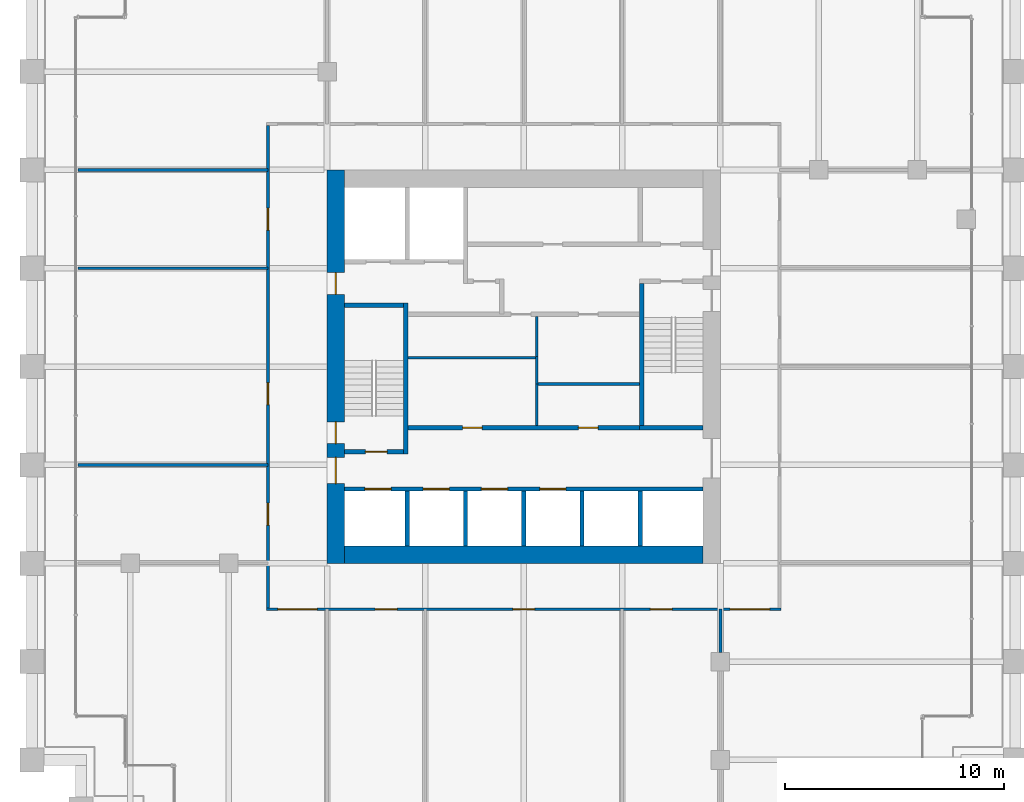
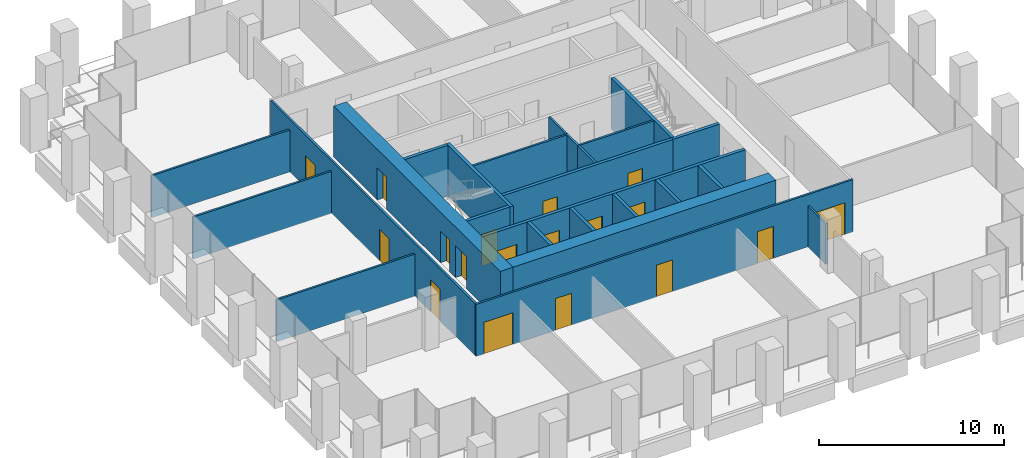
# One storey, part 50 of 56: 25 walls, 18 doors, 18 openings.
"""IFC4 building model written with IfcOpenShell, lengths in metres."""

from ifc_helpers import new_model, si_unit, direction, frame, frame_2d, origin, place, context, subcontext, project, spatial, rectangle, extrude, material, layer, layer_set, type_object, element, fill, save


model = new_model("IFC4")

# Units and contexts
model_context = context("Model", 3, precision=1e-05, world=origin(), true_north=direction((0.0, 1.0)))
body_context = subcontext(model_context, "Body", "Model", "MODEL_VIEW")
ifc_project = project(units=[si_unit("LENGTHUNIT", "METRE"), si_unit("AREAUNIT", "SQUARE_METRE"), si_unit("VOLUMEUNIT", "CUBIC_METRE"), si_unit("PLANEANGLEUNIT", "RADIAN"), si_unit("MASSUNIT", "GRAM", prefix="KILO")], contexts=[model_context])

# Site, building, storey
site_placement = place(None, origin())
site = spatial("IfcSite", under=ifc_project, at=site_placement, CompositionType="ELEMENT")
building_placement = place(site_placement, origin())
building = spatial("IfcBuilding", under=site, at=building_placement, Name="Altepetl Exchange Towers", CompositionType="ELEMENT")
storey_placement = place(building_placement, frame((0.0, 0.0, 51.0)))
storey = spatial("IfcBuildingStorey", under=building, at=storey_placement, Name="L11", CompositionType="ELEMENT", Elevation=51.0)

# Wall
ifc_material_1 = material(Name="Concrete C70/85", Category="concrete")
ifc_layer_1 = layer(ifc_material_1, 0.800048828125)
ifc_layer_set_1 = layer_set([ifc_layer_1], Name="Concrete C70/85")
wall_type_1 = type_object("IfcWallType", Name="Core wall 800 reinforced concrete", PredefinedType="SHEAR", material=ifc_layer_set_1)
wall_1_placement = place(storey_placement, frame((41.300048828125, 40.89990234375, 0.0)))
element("IfcWall", 1, at=wall_1_placement, inside=storey, type_object=wall_type_1, Name="wall:A:L11:K-coreS", PredefinedType="SHEAR", context=body_context, shape_type="SweptSolid", body=[
    extrude(rectangle(XDim=16.39990234375, YDim=0.800048828125, at=frame_2d((8.199951171875, 0.0))), origin(), (0.0, 0.0, 1.0), 3.35009765625),
])

# Wall, openings, doors
wall_2_placement = place(storey_placement, frame((40.89990234375, 40.5, 0.0), z_axis=(0.0, 0.0, 1.0), x_axis=(0.0, 1.0, 0.0)))
wall_2 = element("IfcWall", 2, at=wall_2_placement, inside=storey, type_object=wall_type_1, Name="wall:A:L11:K-coreW", PredefinedType="SHEAR", context=body_context, shape_type="SweptSolid", body=[
    extrude(rectangle(XDim=18.0, YDim=0.800048828125, at=frame_2d((9.0, 0.0))), origin(), (0.0, 0.0, 1.0), 3.35009765625),
])
opening_1_placement = place(wall_2_placement, frame((3.64990234375, 0.0, 0.0)))
opening_1 = element("IfcOpeningElement", 3, at=opening_1_placement, cuts=wall_2, Name="Opening L11.A62", PredefinedType="OPENING", context=body_context, shape_type="SweptSolid", body=[
    extrude(rectangle(XDim=1.199951171875, YDim=2.10009765625, at=frame_2d((0.60009765625, 1.050048828125))), frame((0.0, 0.41015625, 0.0), z_axis=(0.0, -1.0, 0.0), x_axis=(1.0, 0.0, 0.0)), (0.0, 0.0, 1.0), 0.820068359375),
])
opening_2_placement = place(wall_2_placement, frame((5.47509765625, 0.0, 0.0)))
opening_2 = element("IfcOpeningElement", 4, at=opening_2_placement, cuts=wall_2, Name="Opening L11.A64", PredefinedType="OPENING", context=body_context, shape_type="SweptSolid", body=[
    extrude(rectangle(XDim=1.0, YDim=2.10009765625, at=frame_2d((0.5, 1.050048828125))), frame((0.0, 0.41015625, 0.0), z_axis=(0.0, -1.0, 0.0), x_axis=(1.0, 0.0, 0.0)), (0.0, 0.0, 1.0), 0.820068359375),
])
opening_3_placement = place(wall_2_placement, frame((12.300048828125, 0.0, 0.0)))
opening_3 = element("IfcOpeningElement", 5, at=opening_3_placement, cuts=wall_2, Name="Opening L11.A68", PredefinedType="OPENING", context=body_context, shape_type="SweptSolid", body=[
    extrude(rectangle(XDim=1.0, YDim=2.10009765625, at=frame_2d((0.5, 1.050048828125))), frame((0.0, 0.41015625, 0.0), z_axis=(0.0, -1.0, 0.0), x_axis=(1.0, 0.0, 0.0)), (0.0, 0.0, 1.0), 0.820068359375),
])
ifc_material_2 = material(Name="Steel and timber fire door", Category="steel")
door_type_1 = type_object("IfcDoorType", Name="Fire door 1000 x 2100 stair and lobby", OperationType="SINGLE_SWING_LEFT", PredefinedType="DOOR", material=ifc_material_2)
door_1_placement = place(opening_2_placement, frame((1.0, 0.0, 0.0), x_axis=(-1.0, 0.0, 0.0)))
door_1 = element("IfcDoor", 6, at=door_1_placement, inside=storey, type_object=door_type_1, Name="door:A:L11:K-dS1x", OperationType="SINGLE_SWING_RIGHT", OverallHeight=2.10009765625, OverallWidth=1.0, PredefinedType="DOOR", context=body_context, shape_type="SweptSolid", body=[
    extrude(rectangle(XDim=1.0, YDim=2.10009765625, at=frame_2d((0.5, 1.050048828125))), frame((0.0, 0.02490234375, 0.0), z_axis=(0.0, -1.0, 0.0), x_axis=(1.0, 0.0, 0.0)), (0.0, 0.0, 1.0), 0.050048828125),
])
fill(opening_2, door_1)
door_2_placement = place(opening_3_placement, frame((1.0, 0.0, 0.0), x_axis=(-1.0, 0.0, 0.0)))
door_2 = element("IfcDoor", 7, at=door_2_placement, inside=storey, type_object=door_type_1, Name="door:A:L11:K-dffW", OperationType="SINGLE_SWING_LEFT", OverallHeight=2.10009765625, OverallWidth=1.0, PredefinedType="DOOR", context=body_context, shape_type="SweptSolid", body=[
    extrude(rectangle(XDim=1.0, YDim=2.10009765625, at=frame_2d((0.5, 1.050048828125))), frame((0.0, 0.02490234375, 0.0), z_axis=(0.0, -1.0, 0.0), x_axis=(1.0, 0.0, 0.0)), (0.0, 0.0, 1.0), 0.050048828125),
])
fill(opening_3, door_2)
door_type_2 = type_object("IfcDoorType", Name="Fire door 1200 x 2100 lobby entry", OperationType="SINGLE_SWING_LEFT", PredefinedType="DOOR", material=ifc_material_2)
door_3_placement = place(opening_1_placement, frame((1.199951171875, 0.0, 0.0), x_axis=(-1.0, 0.0, 0.0)))
door_3 = element("IfcDoor", 8, at=door_3_placement, inside=storey, type_object=door_type_2, Name="door:A:L11:K-dLSW", OperationType="SINGLE_SWING_LEFT", OverallHeight=2.10009765625, OverallWidth=1.199951171875, PredefinedType="DOOR", context=body_context, shape_type="SweptSolid", body=[
    extrude(rectangle(XDim=1.199951171875, YDim=2.10009765625, at=frame_2d((0.60009765625, 1.050048828125))), frame((0.0, 0.02490234375, 0.0), z_axis=(0.0, -1.0, 0.0), x_axis=(1.0, 0.0, 0.0)), (0.0, 0.0, 1.0), 0.050048828125),
])
fill(opening_1, door_3)

ifc_material_3 = material(Name="Concrete blockwork", Category="masonry")
ifc_layer_2 = layer(ifc_material_3, 0.199951171875)
ifc_layer_set_2 = layer_set([ifc_layer_2], Name="Concrete blockwork")
wall_type_2 = type_object("IfcWallType", Name="Lobby wall 200 blockwork", PredefinedType="PARTITIONING", material=ifc_layer_set_2)
wall_3_placement = place(storey_placement, frame((44.199951171875, 46.699951171875, 0.0)))
wall_3 = element("IfcWall", 9, at=wall_3_placement, inside=storey, type_object=wall_type_2, Name="wall:A:L11:K-zoneS", PredefinedType="PARTITIONING", context=body_context, shape_type="SweptSolid", body=[
    extrude(rectangle(XDim=10.60009765625, YDim=0.199951171875, at=frame_2d((5.300048828125, 0.0))), origin(), (0.0, 0.0, 1.0), 3.35009765625),
])
opening_4_placement = place(wall_3_placement, frame((2.5, 0.0, 0.0)))
opening_4 = element("IfcOpeningElement", 10, at=opening_4_placement, cuts=wall_3, Name="Opening L11.A71", PredefinedType="OPENING", context=body_context, shape_type="SweptSolid", body=[
    extrude(rectangle(XDim=0.89990234375, YDim=2.10009765625, at=frame_2d((0.449951171875, 1.050048828125))), frame((0.0, 0.10986328125, 0.0), z_axis=(0.0, -1.0, 0.0), x_axis=(1.0, 0.0, 0.0)), (0.0, 0.0, 1.0), 0.219970703125),
])
opening_5_placement = place(wall_3_placement, frame((7.800048828125, 0.0, 0.0)))
opening_5 = element("IfcOpeningElement", 11, at=opening_5_placement, cuts=wall_3, Name="Opening L11.A73", PredefinedType="OPENING", context=body_context, shape_type="SweptSolid", body=[
    extrude(rectangle(XDim=0.89990234375, YDim=2.10009765625, at=frame_2d((0.449951171875, 1.050048828125))), frame((0.0, 0.10986328125, 0.0), z_axis=(0.0, -1.0, 0.0), x_axis=(1.0, 0.0, 0.0)), (0.0, 0.0, 1.0), 0.219970703125),
])
door_type_3 = type_object("IfcDoorType", Name="Fire door 900 x 2100 service room", OperationType="SINGLE_SWING_LEFT", PredefinedType="DOOR", material=ifc_material_2)
door_4_placement = place(opening_4_placement, origin())
door_4 = element("IfcDoor", 12, at=door_4_placement, inside=storey, type_object=door_type_3, Name="door:A:L11:K-dz1", OperationType="SINGLE_SWING_RIGHT", OverallHeight=2.10009765625, OverallWidth=0.89990234375, PredefinedType="DOOR", context=body_context, shape_type="SweptSolid", body=[
    extrude(rectangle(XDim=0.89990234375, YDim=2.10009765625, at=frame_2d((0.449951171875, 1.050048828125))), frame((0.0, 0.02490234375, 0.0), z_axis=(0.0, -1.0, 0.0), x_axis=(1.0, 0.0, 0.0)), (0.0, 0.0, 1.0), 0.050048828125),
])
fill(opening_4, door_4)
door_5_placement = place(opening_5_placement, origin())
door_5 = element("IfcDoor", 13, at=door_5_placement, inside=storey, type_object=door_type_3, Name="door:A:L11:K-dz3", OperationType="SINGLE_SWING_RIGHT", OverallHeight=2.10009765625, OverallWidth=0.89990234375, PredefinedType="DOOR", context=body_context, shape_type="SweptSolid", body=[
    extrude(rectangle(XDim=0.89990234375, YDim=2.10009765625, at=frame_2d((0.449951171875, 1.050048828125))), frame((0.0, 0.02490234375, 0.0), z_axis=(0.0, -1.0, 0.0), x_axis=(1.0, 0.0, 0.0)), (0.0, 0.0, 1.0), 0.050048828125),
])
fill(opening_5, door_5)

# Walls
ifc_material_4 = material(Name="Gypsum board on steel studs", Category="steel")
ifc_layer_3 = layer(ifc_material_4, 0.125)
ifc_layer_set_3 = layer_set([ifc_layer_3], Name="Gypsum board on steel studs")
wall_type_3 = type_object("IfcWallType", Name="Partition 125 gypsum board on steel studs", PredefinedType="PARTITIONING", material=ifc_layer_set_3)
wall_4_placement = place(storey_placement, frame((50.10009765625, 46.800048828125, 0.0), z_axis=(0.0, 0.0, 1.0), x_axis=(0.0, 1.0, 0.0)))
element("IfcWall", 14, at=wall_4_placement, inside=storey, type_object=wall_type_3, Name="wall:A:L11:K-zp1", PredefinedType="PARTITIONING", context=body_context, shape_type="SweptSolid", body=[
    extrude(rectangle(XDim=1.96240234375, YDim=0.125, at=frame_2d((0.981201171875, 0.0))), origin(), (0.0, 0.0, 1.0), 3.35009765625),
])
wall_5_placement = place(storey_placement, frame((54.800048828125, 48.699951171875, 0.0), z_axis=(0.0, 0.0, 1.0), x_axis=(-1.0, 0.0, 0.0)))
element("IfcWall", 15, at=wall_5_placement, inside=storey, type_object=wall_type_3, Name="wall:A:L11:K-zp2", PredefinedType="PARTITIONING", context=body_context, shape_type="SweptSolid", body=[
    extrude(rectangle(XDim=4.637451171875, YDim=0.125, at=frame_2d((2.31884765625, 0.0))), origin(), (0.0, 0.0, 1.0), 3.35009765625),
])
wall_6_placement = place(storey_placement, frame((50.10009765625, 48.699951171875, 0.0), z_axis=(0.0, 0.0, 1.0), x_axis=(0.0, 1.0, 0.0)))
element("IfcWall", 16, at=wall_6_placement, inside=storey, type_object=wall_type_3, Name="wall:A:L11:K-zp3", PredefinedType="PARTITIONING", context=body_context, shape_type="SweptSolid", body=[
    extrude(rectangle(XDim=1.262451171875, YDim=0.125, at=frame_2d((0.63134765625, 0.0))), origin(), (0.0, 0.0, 1.0), 3.35009765625),
])
wall_7_placement = place(storey_placement, frame((50.03759765625, 49.89990234375, 0.0), z_axis=(0.0, 0.0, 1.0), x_axis=(-1.0, 0.0, 0.0)))
element("IfcWall", 17, at=wall_7_placement, inside=storey, type_object=wall_type_3, Name="wall:A:L11:K-zp4", PredefinedType="PARTITIONING", context=body_context, shape_type="SweptSolid", body=[
    extrude(rectangle(XDim=5.837646484375, YDim=0.125, at=frame_2d((2.9189453125, 0.0))), origin(), (0.0, 0.0, 1.0), 3.35009765625),
])
wall_8_placement = place(storey_placement, frame((50.10009765625, 49.89990234375, 0.0), z_axis=(0.0, 0.0, 1.0), x_axis=(0.0, 1.0, 0.0)))
element("IfcWall", 18, at=wall_8_placement, inside=storey, type_object=wall_type_3, Name="wall:A:L11:K-zp5", PredefinedType="PARTITIONING", context=body_context, shape_type="SweptSolid", body=[
    extrude(rectangle(XDim=1.900146484375, YDim=0.125, at=frame_2d((0.9501953125, 0.0))), origin(), (0.0, 0.0, 1.0), 3.35009765625),
])

# Wall, openings, doors
wall_9_placement = place(storey_placement, frame((37.737548828125, 38.39990234375, 0.0)))
wall_9 = element("IfcWall", 19, at=wall_9_placement, inside=storey, type_object=wall_type_3, Name="wall:A:L11:P01", PredefinedType="PARTITIONING", context=body_context, shape_type="SweptSolid", body=[
    extrude(rectangle(XDim=23.52490234375, YDim=0.125, at=frame_2d((11.762451171875, 0.0))), origin(), (0.0, 0.0, 1.0), 3.449951171875),
])
opening_6_placement = place(wall_9_placement, frame((0.512451171875, 0.0, 0.0)))
opening_6 = element("IfcOpeningElement", 20, at=opening_6_placement, cuts=wall_9, Name="Opening L11.A02", PredefinedType="OPENING", context=body_context, shape_type="SweptSolid", body=[
    extrude(rectangle(XDim=1.800048828125, YDim=2.10009765625, at=frame_2d((0.89990234375, 1.050048828125))), frame((0.0, 0.072509765625, 0.0), z_axis=(0.0, -1.0, 0.0), x_axis=(1.0, 0.0, 0.0)), (0.0, 0.0, 1.0), 0.14501953125),
])
opening_7_placement = place(wall_9_placement, frame((4.967529296875, 0.0, 0.0)))
opening_7 = element("IfcOpeningElement", 21, at=opening_7_placement, cuts=wall_9, Name="Opening L11.A03", PredefinedType="OPENING", context=body_context, shape_type="SweptSolid", body=[
    extrude(rectangle(XDim=1.0, YDim=2.10009765625, at=frame_2d((0.5, 1.050048828125))), frame((0.0, 0.072509765625, 0.0), z_axis=(0.0, -1.0, 0.0), x_axis=(1.0, 0.0, 0.0)), (0.0, 0.0, 1.0), 0.14501953125),
])
opening_8_placement = place(wall_9_placement, frame((11.262451171875, 0.0, 0.0)))
opening_8 = element("IfcOpeningElement", 22, at=opening_8_placement, cuts=wall_9, Name="Opening L11.A04", PredefinedType="OPENING", context=body_context, shape_type="SweptSolid", body=[
    extrude(rectangle(XDim=1.0, YDim=2.10009765625, at=frame_2d((0.5, 1.050048828125))), frame((0.0, 0.072509765625, 0.0), z_axis=(0.0, -1.0, 0.0), x_axis=(1.0, 0.0, 0.0)), (0.0, 0.0, 1.0), 0.14501953125),
])
opening_9_placement = place(wall_9_placement, frame((17.5576171875, 0.0, 0.0)))
opening_9 = element("IfcOpeningElement", 23, at=opening_9_placement, cuts=wall_9, Name="Opening L11.A05", PredefinedType="OPENING", context=body_context, shape_type="SweptSolid", body=[
    extrude(rectangle(XDim=1.0, YDim=2.10009765625, at=frame_2d((0.5, 1.050048828125))), frame((0.0, 0.072509765625, 0.0), z_axis=(0.0, -1.0, 0.0), x_axis=(1.0, 0.0, 0.0)), (0.0, 0.0, 1.0), 0.14501953125),
])
opening_10_placement = place(wall_9_placement, frame((21.21240234375, 0.0, 0.0)))
opening_10 = element("IfcOpeningElement", 24, at=opening_10_placement, cuts=wall_9, Name="Opening L11.A06", PredefinedType="OPENING", context=body_context, shape_type="SweptSolid", body=[
    extrude(rectangle(XDim=1.800048828125, YDim=2.10009765625, at=frame_2d((0.89990234375, 1.050048828125))), frame((0.0, 0.072509765625, 0.0), z_axis=(0.0, -1.0, 0.0), x_axis=(1.0, 0.0, 0.0)), (0.0, 0.0, 1.0), 0.14501953125),
])
door_type_4 = type_object("IfcDoorType", Name="Fire door 1000 x 2100 single leaf", OperationType="SINGLE_SWING_LEFT", PredefinedType="DOOR", material=ifc_material_2)
door_6_placement = place(opening_7_placement, frame((1.0, 0.0, 0.0), x_axis=(-1.0, 0.0, 0.0)))
door_6 = element("IfcDoor", 25, at=door_6_placement, inside=storey, type_object=door_type_4, Name="door:A:L11:03", OperationType="SINGLE_SWING_LEFT", OverallHeight=2.10009765625, OverallWidth=1.0, PredefinedType="DOOR", context=body_context, shape_type="SweptSolid", body=[
    extrude(rectangle(XDim=1.0, YDim=2.10009765625, at=frame_2d((0.5, 1.050048828125))), frame((0.0, 0.02490234375, 0.0), z_axis=(0.0, -1.0, 0.0), x_axis=(1.0, 0.0, 0.0)), (0.0, 0.0, 1.0), 0.050048828125),
])
fill(opening_7, door_6)
door_7_placement = place(opening_8_placement, frame((1.0, 0.0, 0.0), x_axis=(-1.0, 0.0, 0.0)))
door_7 = element("IfcDoor", 26, at=door_7_placement, inside=storey, type_object=door_type_4, Name="door:A:L11:04", OperationType="SINGLE_SWING_RIGHT", OverallHeight=2.10009765625, OverallWidth=1.0, PredefinedType="DOOR", context=body_context, shape_type="SweptSolid", body=[
    extrude(rectangle(XDim=1.0, YDim=2.10009765625, at=frame_2d((0.5, 1.050048828125))), frame((0.0, 0.02490234375, 0.0), z_axis=(0.0, -1.0, 0.0), x_axis=(1.0, 0.0, 0.0)), (0.0, 0.0, 1.0), 0.050048828125),
])
fill(opening_8, door_7)
door_8_placement = place(opening_9_placement, frame((1.0, 0.0, 0.0), x_axis=(-1.0, 0.0, 0.0)))
door_8 = element("IfcDoor", 27, at=door_8_placement, inside=storey, type_object=door_type_4, Name="door:A:L11:05", OperationType="SINGLE_SWING_LEFT", OverallHeight=2.10009765625, OverallWidth=1.0, PredefinedType="DOOR", context=body_context, shape_type="SweptSolid", body=[
    extrude(rectangle(XDim=1.0, YDim=2.10009765625, at=frame_2d((0.5, 1.050048828125))), frame((0.0, 0.02490234375, 0.0), z_axis=(0.0, -1.0, 0.0), x_axis=(1.0, 0.0, 0.0)), (0.0, 0.0, 1.0), 0.050048828125),
])
fill(opening_9, door_8)
door_type_5 = type_object("IfcDoorType", Name="Fire door 1800 x 2100 double leaf", OperationType="DOUBLE_DOOR_SINGLE_SWING", PredefinedType="DOOR", material=ifc_material_2)
door_9_placement = place(opening_6_placement, frame((1.800048828125, 0.0, 0.0), x_axis=(-1.0, 0.0, 0.0)))
door_9 = element("IfcDoor", 28, at=door_9_placement, inside=storey, type_object=door_type_5, Name="door:A:L11:02", OperationType="DOUBLE_DOOR_SINGLE_SWING", OverallHeight=2.10009765625, OverallWidth=1.800048828125, PredefinedType="DOOR", context=body_context, shape_type="SweptSolid", body=[
    extrude(rectangle(XDim=1.800048828125, YDim=2.10009765625, at=frame_2d((0.89990234375, 1.050048828125))), frame((0.0, 0.02490234375, 0.0), z_axis=(0.0, -1.0, 0.0), x_axis=(1.0, 0.0, 0.0)), (0.0, 0.0, 1.0), 0.050048828125),
])
fill(opening_6, door_9)
door_10_placement = place(opening_10_placement, frame((1.800048828125, 0.0, 0.0), x_axis=(-1.0, 0.0, 0.0)))
door_10 = element("IfcDoor", 29, at=door_10_placement, inside=storey, type_object=door_type_5, Name="door:A:L11:06", OperationType="DOUBLE_DOOR_SINGLE_SWING", OverallHeight=2.10009765625, OverallWidth=1.800048828125, PredefinedType="DOOR", context=body_context, shape_type="SweptSolid", body=[
    extrude(rectangle(XDim=1.800048828125, YDim=2.10009765625, at=frame_2d((0.89990234375, 1.050048828125))), frame((0.0, 0.02490234375, 0.0), z_axis=(0.0, -1.0, 0.0), x_axis=(1.0, 0.0, 0.0)), (0.0, 0.0, 1.0), 0.050048828125),
])
fill(opening_10, door_10)

# Walls
for number, where, name in (
    (30, (29.10009765625, 45.0, 0.0), "wall:A:L11:P06"),
    (31, (29.10009765625, 54.0, 0.0), "wall:A:L11:P08"),
    (32, (29.10009765625, 58.5, 0.0), "wall:A:L11:P10"),
):
    element("IfcWall", number, at=place(storey_placement, frame(where)), inside=storey, type_object=wall_type_3, Name=name, PredefinedType="PARTITIONING", context=body_context, shape_type="SweptSolid", body=[
        extrude(rectangle(XDim=8.699951171875, YDim=0.125, at=frame_2d((4.35009765625, 0.0))), origin(), (0.0, 0.0, 1.0), 2.76611328125),
    ])

# Wall, openings, doors
wall_10_placement = place(storey_placement, frame((37.800048828125, 38.46240234375, 0.0), z_axis=(0.0, 0.0, 1.0), x_axis=(0.0, 1.0, 0.0)))
wall_10 = element("IfcWall", 33, at=wall_10_placement, inside=storey, type_object=wall_type_3, Name="wall:A:L11:P15", PredefinedType="PARTITIONING", context=body_context, shape_type="SweptSolid", body=[
    extrude(rectangle(XDim=22.0751953125, YDim=0.125, at=frame_2d((11.03759765625, 0.0))), origin(), (0.0, 0.0, 1.0), 3.449951171875),
])
opening_11_placement = place(wall_10_placement, frame((3.78759765625, 0.0, 0.0)))
opening_11 = element("IfcOpeningElement", 34, at=opening_11_placement, cuts=wall_10, Name="Opening L11.A01", PredefinedType="OPENING", context=body_context, shape_type="SweptSolid", body=[
    extrude(rectangle(XDim=1.0, YDim=2.10009765625, at=frame_2d((0.5, 1.050048828125))), frame((0.0, 0.072509765625, 0.0), z_axis=(0.0, -1.0, 0.0), x_axis=(1.0, 0.0, 0.0)), (0.0, 0.0, 1.0), 0.14501953125),
])
opening_12_placement = place(wall_10_placement, frame((17.28759765625, 0.0, 0.0)))
opening_12 = element("IfcOpeningElement", 35, at=opening_12_placement, cuts=wall_10, Name="Opening L11.A16", PredefinedType="OPENING", context=body_context, shape_type="SweptSolid", body=[
    extrude(rectangle(XDim=1.0, YDim=2.10009765625, at=frame_2d((0.5, 1.050048828125))), frame((0.0, 0.072509765625, 0.0), z_axis=(0.0, -1.0, 0.0), x_axis=(1.0, 0.0, 0.0)), (0.0, 0.0, 1.0), 0.14501953125),
])
opening_13_placement = place(wall_10_placement, frame((9.29541015625, 0.0, 0.0)))
opening_13 = element("IfcOpeningElement", 36, at=opening_13_placement, cuts=wall_10, Name="Opening L11.A17", PredefinedType="OPENING", context=body_context, shape_type="SweptSolid", body=[
    extrude(rectangle(XDim=1.0, YDim=2.10009765625, at=frame_2d((0.5, 1.050048828125))), frame((0.0, 0.072509765625, 0.0), z_axis=(0.0, -1.0, 0.0), x_axis=(1.0, 0.0, 0.0)), (0.0, 0.0, 1.0), 0.14501953125),
])
door_11_placement = place(opening_11_placement, origin())
door_11 = element("IfcDoor", 37, at=door_11_placement, inside=storey, type_object=door_type_4, Name="door:A:L11:01", OperationType="SINGLE_SWING_RIGHT", OverallHeight=2.10009765625, OverallWidth=1.0, PredefinedType="DOOR", context=body_context, shape_type="SweptSolid", body=[
    extrude(rectangle(XDim=1.0, YDim=2.10009765625, at=frame_2d((0.5, 1.050048828125))), frame((0.0, 0.02490234375, 0.0), z_axis=(0.0, -1.0, 0.0), x_axis=(1.0, 0.0, 0.0)), (0.0, 0.0, 1.0), 0.050048828125),
])
fill(opening_11, door_11)
door_12_placement = place(opening_12_placement, origin())
door_12 = element("IfcDoor", 38, at=door_12_placement, inside=storey, type_object=door_type_4, Name="door:A:L11:16", OperationType="SINGLE_SWING_LEFT", OverallHeight=2.10009765625, OverallWidth=1.0, PredefinedType="DOOR", context=body_context, shape_type="SweptSolid", body=[
    extrude(rectangle(XDim=1.0, YDim=2.10009765625, at=frame_2d((0.5, 1.050048828125))), frame((0.0, 0.02490234375, 0.0), z_axis=(0.0, -1.0, 0.0), x_axis=(1.0, 0.0, 0.0)), (0.0, 0.0, 1.0), 0.050048828125),
])
fill(opening_12, door_12)
door_13_placement = place(opening_13_placement, origin())
door_13 = element("IfcDoor", 39, at=door_13_placement, inside=storey, type_object=door_type_4, Name="door:A:L11:17", OperationType="SINGLE_SWING_LEFT", OverallHeight=2.10009765625, OverallWidth=1.0, PredefinedType="DOOR", context=body_context, shape_type="SweptSolid", body=[
    extrude(rectangle(XDim=1.0, YDim=2.10009765625, at=frame_2d((0.5, 1.050048828125))), frame((0.0, 0.02490234375, 0.0), z_axis=(0.0, -1.0, 0.0), x_axis=(1.0, 0.0, 0.0)), (0.0, 0.0, 1.0), 0.050048828125),
])
fill(opening_13, door_13)

# Walls
wall_11_placement = place(storey_placement, frame((58.5, 36.425048828125, 0.0), z_axis=(0.0, 0.0, 1.0), x_axis=(0.0, 1.0, 0.0)))
element("IfcWall", 40, at=wall_11_placement, inside=storey, type_object=wall_type_3, Name="wall:A:L11:P27", PredefinedType="PARTITIONING", context=body_context, shape_type="SweptSolid", body=[
    extrude(rectangle(XDim=1.974853515625, YDim=0.125, at=frame_2d((0.9873046875, 0.0))), origin(), (0.0, 0.0, 1.0), 2.676025390625),
])
ifc_material_5 = material(Name="Concrete C40/50", Category="concrete")
ifc_layer_4 = layer(ifc_material_5, 0.199951171875)
ifc_layer_set_4 = layer_set([ifc_layer_4], Name="Concrete C40/50")
wall_type_4 = type_object("IfcWallType", Name="Shaft wall 200 reinforced concrete", PredefinedType="SHEAR", material=ifc_layer_set_4)
for number, where, z_axis, x_axis, name in (
    (41, (44.166748046875, 41.300048828125, 0.0), (0.0, 0.0, 1.0), (0.0, 1.0, 0.0), "wall:A:L11:K-divS1"),
    (42, (46.833251953125, 41.300048828125, 0.0), (0.0, 0.0, 1.0), (0.0, 1.0, 0.0), "wall:A:L11:K-divS2"),
    (43, (49.5, 41.300048828125, 0.0), (0.0, 0.0, 1.0), (0.0, 1.0, 0.0), "wall:A:L11:K-divS3"),
    (44, (52.166748046875, 41.300048828125, 0.0), (0.0, 0.0, 1.0), (0.0, 1.0, 0.0), "wall:A:L11:K-divS4"),
    (45, (54.833251953125, 41.300048828125, 0.0), (0.0, 0.0, 1.0), (0.0, 1.0, 0.0), "wall:A:L11:K-divS5"),
):
    element("IfcWall", number, at=place(storey_placement, frame(where, z_axis=z_axis, x_axis=x_axis)), inside=storey, type_object=wall_type_4, Name=name, PredefinedType="SHEAR", context=body_context, shape_type="SweptSolid", body=[
        extrude(rectangle(XDim=2.5, YDim=0.199951171875, at=frame_2d((1.25, 0.0))), origin(), (0.0, 0.0, 1.0), 3.35009765625),
    ])

# Wall, openings, doors
wall_12_placement = place(storey_placement, frame((41.300048828125, 43.89990234375, 0.0)))
wall_12 = element("IfcWall", 46, at=wall_12_placement, inside=storey, type_object=wall_type_4, Name="wall:A:L11:K-frontS", PredefinedType="SHEAR", context=body_context, shape_type="SweptSolid", body=[
    extrude(rectangle(XDim=16.39990234375, YDim=0.199951171875, at=frame_2d((8.199951171875, 0.0))), origin(), (0.0, 0.0, 1.0), 3.35009765625),
])
opening_14_placement = place(wall_12_placement, frame((0.933349609375, 0.0, 0.0)))
opening_14 = element("IfcOpeningElement", 47, at=opening_14_placement, cuts=wall_12, Name="Opening L11.A77", PredefinedType="OPENING", context=body_context, shape_type="SweptSolid", body=[
    extrude(rectangle(XDim=1.199951171875, YDim=2.10009765625, at=frame_2d((0.60009765625, 1.050048828125))), frame((0.0, 0.10986328125, 0.0), z_axis=(0.0, -1.0, 0.0), x_axis=(1.0, 0.0, 0.0)), (0.0, 0.0, 1.0), 0.219970703125),
])
opening_15_placement = place(wall_12_placement, frame((3.60009765625, 0.0, 0.0)))
opening_15 = element("IfcOpeningElement", 48, at=opening_15_placement, cuts=wall_12, Name="Opening L11.A78", PredefinedType="OPENING", context=body_context, shape_type="SweptSolid", body=[
    extrude(rectangle(XDim=1.199951171875, YDim=2.10009765625, at=frame_2d((0.60009765625, 1.050048828125))), frame((0.0, 0.10986328125, 0.0), z_axis=(0.0, -1.0, 0.0), x_axis=(1.0, 0.0, 0.0)), (0.0, 0.0, 1.0), 0.219970703125),
])
opening_16_placement = place(wall_12_placement, frame((6.2666015625, 0.0, 0.0)))
opening_16 = element("IfcOpeningElement", 49, at=opening_16_placement, cuts=wall_12, Name="Opening L11.A79", PredefinedType="OPENING", context=body_context, shape_type="SweptSolid", body=[
    extrude(rectangle(XDim=1.199951171875, YDim=2.10009765625, at=frame_2d((0.60009765625, 1.050048828125))), frame((0.0, 0.10986328125, 0.0), z_axis=(0.0, -1.0, 0.0), x_axis=(1.0, 0.0, 0.0)), (0.0, 0.0, 1.0), 0.219970703125),
])
opening_17_placement = place(wall_12_placement, frame((8.933349609375, 0.0, 0.0)))
opening_17 = element("IfcOpeningElement", 50, at=opening_17_placement, cuts=wall_12, Name="Opening L11.A80", PredefinedType="OPENING", context=body_context, shape_type="SweptSolid", body=[
    extrude(rectangle(XDim=1.199951171875, YDim=2.10009765625, at=frame_2d((0.60009765625, 1.050048828125))), frame((0.0, 0.10986328125, 0.0), z_axis=(0.0, -1.0, 0.0), x_axis=(1.0, 0.0, 0.0)), (0.0, 0.0, 1.0), 0.219970703125),
])
ifc_material_6 = material(Name="Stainless steel", Category="steel")
door_type_6 = type_object("IfcDoorType", Name="Lift landing door 1200 x 2100", OperationType="SLIDING_TO_LEFT", PredefinedType="DOOR", material=ifc_material_6)
door_14_placement = place(opening_14_placement, origin())
door_14 = element("IfcDoor", 51, at=door_14_placement, inside=storey, type_object=door_type_6, Name="Landing door P1", OperationType="SLIDING_TO_LEFT", OverallHeight=2.10009765625, OverallWidth=1.199951171875, PredefinedType="DOOR", context=body_context, shape_type="SweptSolid", body=[
    extrude(rectangle(XDim=1.199951171875, YDim=2.10009765625, at=frame_2d((0.60009765625, 1.050048828125))), frame((0.0, 0.02490234375, 0.0), z_axis=(0.0, -1.0, 0.0), x_axis=(1.0, 0.0, 0.0)), (0.0, 0.0, 1.0), 0.050048828125),
])
fill(opening_14, door_14)
door_15_placement = place(opening_15_placement, origin())
door_15 = element("IfcDoor", 52, at=door_15_placement, inside=storey, type_object=door_type_6, Name="Landing door P2", OperationType="SLIDING_TO_LEFT", OverallHeight=2.10009765625, OverallWidth=1.199951171875, PredefinedType="DOOR", context=body_context, shape_type="SweptSolid", body=[
    extrude(rectangle(XDim=1.199951171875, YDim=2.10009765625, at=frame_2d((0.60009765625, 1.050048828125))), frame((0.0, 0.02490234375, 0.0), z_axis=(0.0, -1.0, 0.0), x_axis=(1.0, 0.0, 0.0)), (0.0, 0.0, 1.0), 0.050048828125),
])
fill(opening_15, door_15)
door_16_placement = place(opening_16_placement, origin())
door_16 = element("IfcDoor", 53, at=door_16_placement, inside=storey, type_object=door_type_6, Name="Landing door P3", OperationType="SLIDING_TO_LEFT", OverallHeight=2.10009765625, OverallWidth=1.199951171875, PredefinedType="DOOR", context=body_context, shape_type="SweptSolid", body=[
    extrude(rectangle(XDim=1.199951171875, YDim=2.10009765625, at=frame_2d((0.60009765625, 1.050048828125))), frame((0.0, 0.02490234375, 0.0), z_axis=(0.0, -1.0, 0.0), x_axis=(1.0, 0.0, 0.0)), (0.0, 0.0, 1.0), 0.050048828125),
])
fill(opening_16, door_16)
door_17_placement = place(opening_17_placement, origin())
door_17 = element("IfcDoor", 54, at=door_17_placement, inside=storey, type_object=door_type_6, Name="Landing door P4", OperationType="SLIDING_TO_LEFT", OverallHeight=2.10009765625, OverallWidth=1.199951171875, PredefinedType="DOOR", context=body_context, shape_type="SweptSolid", body=[
    extrude(rectangle(XDim=1.199951171875, YDim=2.10009765625, at=frame_2d((0.60009765625, 1.050048828125))), frame((0.0, 0.02490234375, 0.0), z_axis=(0.0, -1.0, 0.0), x_axis=(1.0, 0.0, 0.0)), (0.0, 0.0, 1.0), 0.050048828125),
])
fill(opening_17, door_17)

# Walls
ifc_layer_5 = layer(ifc_material_5, 0.199951171875)
ifc_layer_set_5 = layer_set([ifc_layer_5], Name="Concrete C40/50")
wall_type_5 = type_object("IfcWallType", Name="Stair wall 200 reinforced concrete", PredefinedType="SHEAR", material=ifc_layer_set_5)
wall_13_placement = place(storey_placement, frame((44.10009765625, 45.5, 0.0), z_axis=(0.0, 0.0, 1.0), x_axis=(0.0, 1.0, 0.0)))
element("IfcWall", 55, at=wall_13_placement, inside=storey, type_object=wall_type_5, Name="wall:A:L11:K-stS1E", PredefinedType="SHEAR", context=body_context, shape_type="SweptSolid", body=[
    extrude(rectangle(XDim=6.89990234375, YDim=0.199951171875, at=frame_2d((3.449951171875, 0.0))), origin(), (0.0, 0.0, 1.0), 3.35009765625),
])
wall_14_placement = place(storey_placement, frame((41.300048828125, 52.300048828125, 0.0)))
element("IfcWall", 56, at=wall_14_placement, inside=storey, type_object=wall_type_5, Name="wall:A:L11:K-stS1N", PredefinedType="SHEAR", context=body_context, shape_type="SweptSolid", body=[
    extrude(rectangle(XDim=2.699951171875, YDim=0.199951171875, at=frame_2d((1.35009765625, 0.0))), origin(), (0.0, 0.0, 1.0), 3.35009765625),
])

# Wall, opening, door
wall_15_placement = place(storey_placement, frame((41.300048828125, 45.60009765625, 0.0)))
wall_15 = element("IfcWall", 57, at=wall_15_placement, inside=storey, type_object=wall_type_5, Name="wall:A:L11:K-stS1S", PredefinedType="SHEAR", context=body_context, shape_type="SweptSolid", body=[
    extrude(rectangle(XDim=2.699951171875, YDim=0.199951171875, at=frame_2d((1.35009765625, 0.0))), origin(), (0.0, 0.0, 1.0), 3.35009765625),
])
opening_18_placement = place(wall_15_placement, frame((0.949951171875, 0.0, 0.0)))
opening_18 = element("IfcOpeningElement", 58, at=opening_18_placement, cuts=wall_15, Name="Opening L11.A63", PredefinedType="OPENING", context=body_context, shape_type="SweptSolid", body=[
    extrude(rectangle(XDim=1.0, YDim=2.10009765625, at=frame_2d((0.5, 1.050048828125))), frame((0.0, 0.10986328125, 0.0), z_axis=(0.0, -1.0, 0.0), x_axis=(1.0, 0.0, 0.0)), (0.0, 0.0, 1.0), 0.219970703125),
])
door_18_placement = place(opening_18_placement, origin())
door_18 = element("IfcDoor", 59, at=door_18_placement, inside=storey, type_object=door_type_1, Name="door:A:L11:K-dS1in", OperationType="SINGLE_SWING_RIGHT", OverallHeight=2.10009765625, OverallWidth=1.0, PredefinedType="DOOR", context=body_context, shape_type="SweptSolid", body=[
    extrude(rectangle(XDim=1.0, YDim=2.10009765625, at=frame_2d((0.5, 1.050048828125))), frame((0.0, 0.02490234375, 0.0), z_axis=(0.0, -1.0, 0.0), x_axis=(1.0, 0.0, 0.0)), (0.0, 0.0, 1.0), 0.050048828125),
])
fill(opening_18, door_18)

# Walls
wall_16_placement = place(storey_placement, frame((54.800048828125, 46.699951171875, 0.0)))
element("IfcWall", 60, at=wall_16_placement, inside=storey, type_object=wall_type_5, Name="wall:A:L11:K-stS2S", PredefinedType="SHEAR", context=body_context, shape_type="SweptSolid", body=[
    extrude(rectangle(XDim=2.89990234375, YDim=0.199951171875, at=frame_2d((1.449951171875, 0.0))), origin(), (0.0, 0.0, 1.0), 3.35009765625),
])
wall_17_placement = place(storey_placement, frame((54.89990234375, 46.800048828125, 0.0), z_axis=(0.0, 0.0, 1.0), x_axis=(0.0, 1.0, 0.0)))
element("IfcWall", 61, at=wall_17_placement, inside=storey, type_object=wall_type_5, Name="wall:A:L11:K-stS2W", PredefinedType="SHEAR", context=body_context, shape_type="SweptSolid", body=[
    extrude(rectangle(XDim=6.5, YDim=0.199951171875, at=frame_2d((3.25, 0.0))), origin(), (0.0, 0.0, 1.0), 3.35009765625),
])

save(model, "model.ifc")
